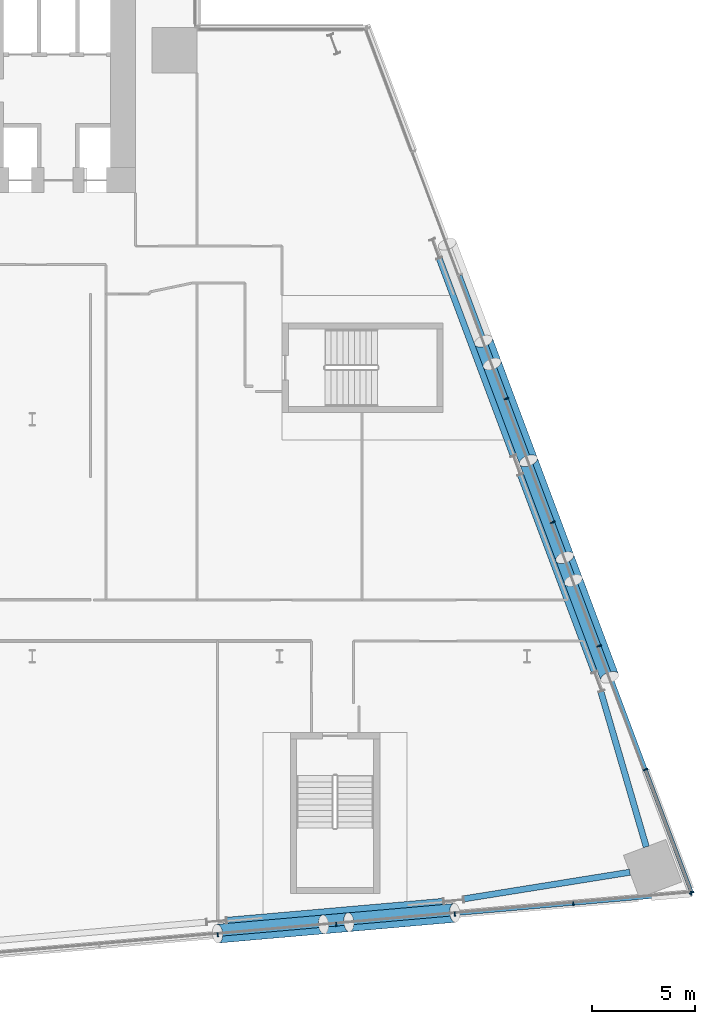
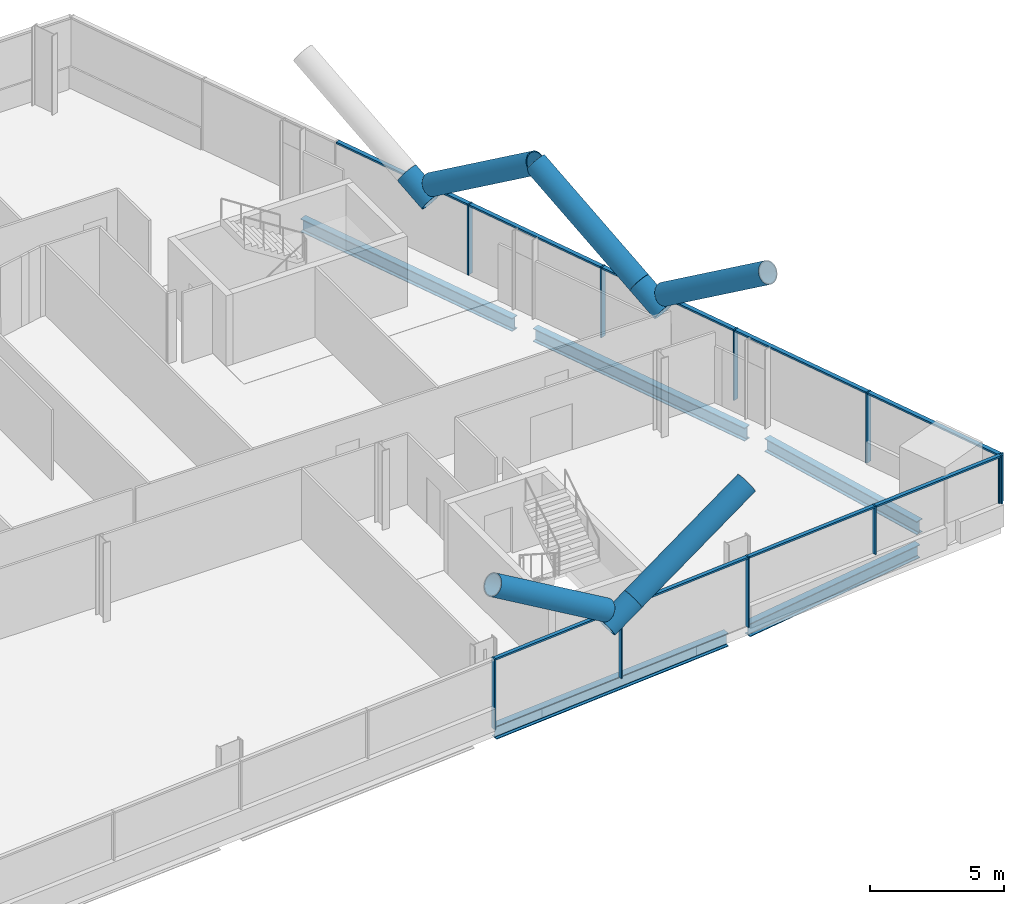
# One storey, part 9 of 27: 27 members, 5 beams, 2 elements without a shape of their own.
"""IFC4 building model written with IfcOpenShell, lengths in metres."""

from ifc_helpers import new_model, si_unit, direction, frame, origin, origin_2d, place, context, subcontext, project, spatial, rectangle, hollow_circle, i_section, extrude, material, material_profile, profile_set, type_object, element, aggregate, save


model = new_model("IFC4")

# Units and contexts
model_context = context("Model", 3, precision=1e-05, world=origin(), true_north=direction((0.0, 1.0)))
body_context = subcontext(model_context, "Body", "Model", "MODEL_VIEW")
ifc_project = project(units=[si_unit("LENGTHUNIT", "METRE"), si_unit("AREAUNIT", "SQUARE_METRE"), si_unit("VOLUMEUNIT", "CUBIC_METRE"), si_unit("PLANEANGLEUNIT", "RADIAN"), si_unit("MASSUNIT", "GRAM", prefix="KILO")], contexts=[model_context])

# Site, building, storey
site_placement = place(None, origin())
site = spatial("IfcSite", under=ifc_project, at=site_placement, CompositionType="ELEMENT")
building_placement = place(site_placement, origin())
building = spatial("IfcBuilding", under=site, at=building_placement, Name="Wharfspan Tower", CompositionType="ELEMENT")
storey_placement = place(building_placement, frame((0.0, 0.0, 48.699951)))
storey = spatial("IfcBuildingStorey", under=building, at=storey_placement, Name="L08", CompositionType="ELEMENT", Elevation=48.699951)

# Members
ifc_material_1 = material(Name="Steel S460NH", Category="steel")
ifc_material_profile_1 = material_profile(ifc_material_1, hollow_circle(Radius=0.457031, WallThickness=0.040039, at=origin_2d()))
ifc_profile_set_1 = profile_set([ifc_material_profile_1], Name="Steel S460NH")
member_type_1 = type_object("IfcMemberType", Name="Brace node tie CHS 914x40", PredefinedType="STRUT", material=ifc_profile_set_1)
member_1_placement = place(storey_placement, frame((74.137451, -1.507568, 2.519531), z_axis=(0.845232, 0.07403, 0.529247), x_axis=(-0.087252, 0.996186, 1e-06)))
element("IfcMember", 1, at=member_1_placement, inside=storey, type_object=member_type_1, Name="Brace node tie L08 S2", PredefinedType="STRUT", context=body_context, shape_type="SweptSolid", body=[
    extrude(hollow_circle(Radius=0.457031, WallThickness=0.040039, at=origin_2d()), origin(), (0.0, 0.0, 1.0), 1.437988),
])
for number, where, z_axis, x_axis, name in (
    (2, (86.248535, 15.180664, 2.522949), (-0.295528, 0.787959, 0.54017), (-0.936316, -0.351168, -3e-06), "Brace node tie L08 E5"),
    (3, (82.311035, 25.680664, 2.522949), (-0.295528, 0.787959, 0.54017), (-0.936316, -0.351168, -3e-06), "Brace node tie L08 E6"),
):
    element("IfcMember", number, at=place(storey_placement, frame(where, z_axis=z_axis, x_axis=x_axis)), inside=storey, type_object=member_type_1, Name=name, PredefinedType="STRUT", context=body_context, shape_type="SweptSolid", body=[
        extrude(hollow_circle(Radius=0.457031, WallThickness=0.040039, at=origin_2d()), origin(), (0.0, 0.0, 1.0), 1.39624),
    ])

# Beams
ifc_material_2 = material(Name="Steel S355J2", Category="steel")
ifc_material_profile_2 = material_profile(ifc_material_2, i_section(OverallWidth=0.300049, OverallDepth=0.600098, WebThickness=0.015381, FlangeThickness=0.030029, FilletRadius=0.0271, at=origin_2d()))
ifc_profile_set_2 = profile_set([ifc_material_profile_2], Name="Steel S355J2")
beam_type = type_object("IfcBeamType", Name="Edge beam HEB 600", PredefinedType="SPANDREL", material=ifc_profile_set_2)
beam_1_placement = place(storey_placement, frame((69.440674, -1.311279, -0.699951), z_axis=(0.996193, 0.087178, 0.0), x_axis=(-0.087178, 0.996193, 0.0)))
element("IfcBeam", 4, at=beam_1_placement, inside=storey, type_object=beam_type, Name="Edge beam S2 L08 PS2.2 to PS2.3", PredefinedType="SPANDREL", context=body_context, shape_type="SweptSolid", body=[
    extrude(i_section(OverallWidth=0.300049, OverallDepth=0.600098, WebThickness=0.015381, FlangeThickness=0.030029, FilletRadius=0.0271, at=origin_2d()), origin(), (0.0, 0.0, 1.0), 10.543701),
])
beam_2_placement = place(storey_placement, frame((80.9375, -0.269287, -0.699951), z_axis=(0.987379, 0.158378, 0.0), x_axis=(-0.158378, 0.987379, 0.0)))
element("IfcBeam", 5, at=beam_2_placement, inside=storey, type_object=beam_type, Name="Edge beam S2 L08 PS2.3 to MC4", PredefinedType="SPANDREL", context=body_context, shape_type="SweptSolid", body=[
    extrude(i_section(OverallWidth=0.300049, OverallDepth=0.600098, WebThickness=0.015381, FlangeThickness=0.030029, FilletRadius=0.0271, at=origin_2d()), origin(), (0.0, 0.0, 1.0), 8.157715),
])
beam_3_placement = place(storey_placement, frame((89.788086, 2.254639, -0.699951), z_axis=(-0.280694, 0.959797, 0.0), x_axis=(-0.959797, -0.280694, 0.0)))
element("IfcBeam", 6, at=beam_3_placement, inside=storey, type_object=beam_type, Name="Edge beam E L08 MC4 to PE.1", PredefinedType="SPANDREL", context=body_context, shape_type="SweptSolid", body=[
    extrude(i_section(OverallWidth=0.300049, OverallDepth=0.600098, WebThickness=0.015381, FlangeThickness=0.030029, FilletRadius=0.0271, at=origin_2d()), origin(), (0.0, 0.0, 1.0), 7.8479),
])
for number, where, z_axis, x_axis, name in (
    (7, (87.269043, 10.736328, -0.699951), (-0.351126, 0.936328, 0.0), (-0.936328, -0.351126, 0.0), "Edge beam E L08 PE.1 to PE.2"),
    (8, (83.331543, 21.236328, -0.699951), (-0.351126, 0.936328, 0.0), (-0.936328, -0.351126, 0.0), "Edge beam E L08 PE.2 to PE.3"),
):
    element("IfcBeam", number, at=place(storey_placement, frame(where, z_axis=z_axis, x_axis=x_axis)), inside=storey, type_object=beam_type, Name=name, PredefinedType="SPANDREL", context=body_context, shape_type="SweptSolid", body=[
        extrude(i_section(OverallWidth=0.300049, OverallDepth=0.600098, WebThickness=0.015381, FlangeThickness=0.030029, FilletRadius=0.0271, at=origin_2d()), origin(), (0.0, 0.0, 1.0), 10.214111),
    ])

# Curtain wall, members
ifc_material_3 = material(Name="Aluminium 6063-T6", Category="aluminium")
curtain_wall_type_1 = type_object("IfcCurtainWallType", Name="CURTAIN WALL FACETED FRONT", PredefinedType="NOTDEFINED", material=ifc_material_3)
curtain_wall_1_placement = place(storey_placement, origin())
curtain_wall_1 = element("IfcCurtainWall", 9, at=curtain_wall_1_placement, inside=storey, type_object=curtain_wall_type_1, Name="Curtain wall S2", PredefinedType="NOTDEFINED")
ifc_material_profile_3 = material_profile(ifc_material_3, rectangle(XDim=0.199951, YDim=0.060059, at=origin_2d()))
ifc_profile_set_3 = profile_set([ifc_material_profile_3], Name="Aluminium 6063-T6")
member_type_2 = type_object("IfcMemberType", Name="MULLION FACETED FRONT 60x200", PredefinedType="MULLION", material=ifc_profile_set_3)
member_2_placement = place(storey_placement, frame((69.0, -2.012207, 0.0), z_axis=(0.0, 0.0, 1.0), x_axis=(-0.087156, 0.996197, 0.0)))
member_2 = element("IfcMember", 10, at=member_2_placement, type_object=member_type_2, Name="Curtain wall S2 mullion 5", PredefinedType="MULLION", context=body_context, shape_type="SweptSolid", body=[
    extrude(rectangle(XDim=0.199951, YDim=0.060059, at=origin_2d()), origin(), (0.0, 0.0, 1.0), 3.199951),
])
member_3_placement = place(storey_placement, frame((74.75, -1.509277, 0.0), z_axis=(0.0, 0.0, 1.0), x_axis=(-0.087156, 0.996197, 0.0)))
member_3 = element("IfcMember", 11, at=member_3_placement, type_object=member_type_2, Name="Curtain wall S2 mullion 6", PredefinedType="MULLION", context=body_context, shape_type="SweptSolid", body=[
    extrude(rectangle(XDim=0.199951, YDim=0.060059, at=origin_2d()), origin(), (0.0, 0.0, 1.0), 3.199951),
])
member_4_placement = place(storey_placement, frame((80.5, -1.006104, 0.0), z_axis=(0.0, 0.0, 1.0), x_axis=(-0.087156, 0.996197, 0.0)))
member_4 = element("IfcMember", 12, at=member_4_placement, type_object=member_type_2, Name="Curtain wall S2 mullion 7", PredefinedType="MULLION", context=body_context, shape_type="SweptSolid", body=[
    extrude(rectangle(XDim=0.199951, YDim=0.060059, at=origin_2d()), origin(), (0.0, 0.0, 1.0), 3.199951),
])
member_5_placement = place(storey_placement, frame((86.25, -0.503174, 1.0), z_axis=(0.0, 0.0, 1.0), x_axis=(-0.087156, 0.996197, 0.0)))
member_5 = element("IfcMember", 13, at=member_5_placement, type_object=member_type_2, Name="Curtain wall S2 mullion 8", PredefinedType="MULLION", context=body_context, shape_type="SweptSolid", body=[
    extrude(rectangle(XDim=0.199951, YDim=0.060059, at=origin_2d()), origin(), (0.0, 0.0, 1.0), 2.199951),
])
member_6_placement = place(storey_placement, frame((91.970215, -0.002686, 1.0), z_axis=(0.0, 0.0, 1.0), x_axis=(-0.087156, 0.996197, 0.0)))
member_6 = element("IfcMember", 14, at=member_6_placement, type_object=member_type_2, Name="Curtain wall S2 mullion 9", PredefinedType="MULLION", context=body_context, shape_type="SweptSolid", body=[
    extrude(rectangle(XDim=0.199951, YDim=0.060059, at=origin_2d()), origin(), (0.0, 0.0, 1.0), 2.199951),
])

curtain_wall_type_2 = type_object("IfcCurtainWallType", Name="CURTAIN WALL PROW AND END", PredefinedType="NOTDEFINED", material=ifc_material_3)
curtain_wall_2_placement = place(storey_placement, origin())
curtain_wall_2 = element("IfcCurtainWall", 15, at=curtain_wall_2_placement, inside=storey, type_object=curtain_wall_type_2, Name="Curtain wall E", PredefinedType="NOTDEFINED")
ifc_material_profile_4 = material_profile(ifc_material_3, rectangle(XDim=0.23999, YDim=0.060059, at=origin_2d()))
ifc_profile_set_4 = profile_set([ifc_material_profile_4], Name="Aluminium 6063-T6")
member_type_3 = type_object("IfcMemberType", Name="MULLION PROW AND END 60x240", PredefinedType="MULLION", material=ifc_profile_set_4)
member_7_placement = place(storey_placement, frame((91.989502, 0.028076, 1.0), z_axis=(0.0, 0.0, 1.0), x_axis=(-0.936328, -0.351123, 0.0)))
member_7 = element("IfcMember", 16, at=member_7_placement, type_object=member_type_3, Name="Curtain wall E mullion 1", PredefinedType="MULLION", context=body_context, shape_type="SweptSolid", body=[
    extrude(rectangle(XDim=0.23999, YDim=0.060059, at=origin_2d()), origin(), (0.0, 0.0, 1.0), 2.199951),
])
member_8_placement = place(storey_placement, frame((89.75, 6.0, 0.0), z_axis=(0.0, 0.0, 1.0), x_axis=(-0.936328, -0.351123, 0.0)))
member_8 = element("IfcMember", 17, at=member_8_placement, type_object=member_type_3, Name="Curtain wall E mullion 2", PredefinedType="MULLION", context=body_context, shape_type="SweptSolid", body=[
    extrude(rectangle(XDim=0.23999, YDim=0.060059, at=origin_2d()), origin(), (0.0, 0.0, 1.0), 3.199951),
])
member_9_placement = place(storey_placement, frame((87.5, 12.0, 0.0), z_axis=(0.0, 0.0, 1.0), x_axis=(-0.936328, -0.351123, 0.0)))
member_9 = element("IfcMember", 18, at=member_9_placement, type_object=member_type_3, Name="Curtain wall E mullion 3", PredefinedType="MULLION", context=body_context, shape_type="SweptSolid", body=[
    extrude(rectangle(XDim=0.23999, YDim=0.060059, at=origin_2d()), origin(), (0.0, 0.0, 1.0), 3.199951),
])
member_10_placement = place(storey_placement, frame((85.25, 18.0, 0.0), z_axis=(0.0, 0.0, 1.0), x_axis=(-0.936328, -0.351123, 0.0)))
member_10 = element("IfcMember", 19, at=member_10_placement, type_object=member_type_3, Name="Curtain wall E mullion 4", PredefinedType="MULLION", context=body_context, shape_type="SweptSolid", body=[
    extrude(rectangle(XDim=0.23999, YDim=0.060059, at=origin_2d()), origin(), (0.0, 0.0, 1.0), 3.199951),
])
member_11_placement = place(storey_placement, frame((83.0, 24.0, 0.0), z_axis=(0.0, 0.0, 1.0), x_axis=(-0.936328, -0.351123, 0.0)))
member_11 = element("IfcMember", 20, at=member_11_placement, type_object=member_type_3, Name="Curtain wall E mullion 5", PredefinedType="MULLION", context=body_context, shape_type="SweptSolid", body=[
    extrude(rectangle(XDim=0.23999, YDim=0.060059, at=origin_2d()), origin(), (0.0, 0.0, 1.0), 3.199951),
])

# Members
ifc_material_profile_5 = material_profile(ifc_material_1, hollow_circle(Radius=0.457031, WallThickness=0.040039, at=origin_2d()))
ifc_profile_set_5 = profile_set([ifc_material_profile_5], Name="Steel S460NH")
member_type_4 = type_object("IfcMemberType", Name="Mega brace CHS 914x40", PredefinedType="BRACE", material=ifc_profile_set_5)
member_12_placement = place(storey_placement, frame((75.361328, -1.400391, 3.285889), z_axis=(0.845271, 0.073923, 0.529199), x_axis=(-0.087123, 0.996199, 1e-06)))
element("IfcMember", 21, at=member_12_placement, inside=storey, type_object=member_type_4, Name="Mega brace S2 L08 part 2", PredefinedType="BRACE", context=body_context, shape_type="SweptSolid", body=[
    extrude(hollow_circle(Radius=0.457031, WallThickness=0.040039, at=origin_2d()), origin(), (0.0, 0.0, 1.0), 6.073486),
])
member_13_placement = place(storey_placement, frame((74.12915, -1.508301, 3.285889), z_axis=(-0.84528, -0.073961, 0.52918), x_axis=(0.087165, -0.996192, -1e-06)))
element("IfcMember", 22, at=member_13_placement, inside=storey, type_object=member_type_4, Name="Mega brace S2 L08 part 4", PredefinedType="BRACE", context=body_context, shape_type="SweptSolid", body=[
    extrude(hollow_circle(Radius=0.457031, WallThickness=0.040039, at=origin_2d()), origin(), (0.0, 0.0, 1.0), 6.07373),
])
for number, where, z_axis, x_axis, name in (
    (23, (85.833008, 16.288574, 3.282715), (-0.295466, 0.787922, 0.540259), (-0.936329, -0.351115, -4e-06), "Mega brace E5 L08 part 2"),
    (24, (86.251465, 15.172852, 3.282715), (0.295466, -0.787922, 0.540259), (0.936329, 0.351115, -4e-06), "Mega brace E5 L08 part 4"),
    (25, (82.313965, 25.672852, 3.282715), (0.295466, -0.787922, 0.540259), (0.936329, 0.351115, -4e-06), "Mega brace E6 L08 part 4"),
):
    element("IfcMember", number, at=place(storey_placement, frame(where, z_axis=z_axis, x_axis=x_axis)), inside=storey, type_object=member_type_4, Name=name, PredefinedType="BRACE", context=body_context, shape_type="SweptSolid", body=[
        extrude(hollow_circle(Radius=0.457031, WallThickness=0.040039, at=origin_2d()), origin(), (0.0, 0.0, 1.0), 5.955078),
    ])

# Member
ifc_material_profile_6 = material_profile(ifc_material_3, rectangle(XDim=0.159912, YDim=0.080078, at=origin_2d()))
ifc_profile_set_6 = profile_set([ifc_material_profile_6], Name="Aluminium 6063-T6")
member_type_5 = type_object("IfcMemberType", Name="TRANSOM FACETED FRONT 80x160", PredefinedType="USERDEFINED", material=ifc_profile_set_6)
member_14_placement = place(storey_placement, frame((69.029785, -2.009521, 3.160156), z_axis=(0.996195, 0.087148, 0.0), x_axis=(-0.087148, 0.996195, 0.0)))
member_14 = element("IfcMember", 26, at=member_14_placement, type_object=member_type_5, Name="Curtain wall S2 transom 5", ObjectType="TRANSOM", PredefinedType="USERDEFINED", context=body_context, shape_type="SweptSolid", body=[
    extrude(rectangle(XDim=0.159912, YDim=0.080078, at=origin_2d()), origin(), (0.0, 0.0, 1.0), 5.712158),
])

member_15_placement = place(storey_placement, frame((74.779785, -1.506592, 3.160156), z_axis=(0.996195, 0.087148, 0.0), x_axis=(-0.087148, 0.996195, 0.0)))
member_15 = element("IfcMember", 27, at=member_15_placement, type_object=member_type_5, Name="Curtain wall S2 transom 6", ObjectType="TRANSOM", PredefinedType="USERDEFINED", context=body_context, shape_type="SweptSolid", body=[
    extrude(rectangle(XDim=0.159912, YDim=0.080078, at=origin_2d()), origin(), (0.0, 0.0, 1.0), 5.712158),
])

member_16_placement = place(storey_placement, frame((80.529785, -1.003418, 3.160156), z_axis=(0.996195, 0.087148, 0.0), x_axis=(-0.087148, 0.996195, 0.0)))
member_16 = element("IfcMember", 28, at=member_16_placement, type_object=member_type_5, Name="Curtain wall S2 transom 7", ObjectType="TRANSOM", PredefinedType="USERDEFINED", context=body_context, shape_type="SweptSolid", body=[
    extrude(rectangle(XDim=0.159912, YDim=0.080078, at=origin_2d()), origin(), (0.0, 0.0, 1.0), 5.712158),
])

member_17_placement = place(storey_placement, frame((86.279785, -0.500488, 3.160156), z_axis=(0.996193, 0.08718, 0.0), x_axis=(-0.08718, 0.996193, 0.0)))
member_17 = element("IfcMember", 29, at=member_17_placement, type_object=member_type_5, Name="Curtain wall S2 transom 8", ObjectType="TRANSOM", PredefinedType="USERDEFINED", context=body_context, shape_type="SweptSolid", body=[
    extrude(rectangle(XDim=0.159912, YDim=0.080078, at=origin_2d()), origin(), (0.0, 0.0, 1.0), 5.682129),
])

aggregate(curtain_wall_1, [member_2, member_3, member_4, member_5, member_6, member_14, member_15, member_16, member_17])

ifc_material_profile_7 = material_profile(ifc_material_3, rectangle(XDim=0.179932, YDim=0.080078, at=origin_2d()))
ifc_profile_set_7 = profile_set([ifc_material_profile_7], Name="Aluminium 6063-T6")
member_type_6 = type_object("IfcMemberType", Name="TRANSOM PROW AND END 80x180", PredefinedType="USERDEFINED", material=ifc_profile_set_7)
member_18_placement = place(storey_placement, frame((91.979004, 0.056152, 3.160156), z_axis=(-0.351136, 0.936324, 0.0), x_axis=(-0.936324, -0.351136, 0.0)))
member_18 = element("IfcMember", 30, at=member_18_placement, type_object=member_type_6, Name="Curtain wall E transom 1", ObjectType="TRANSOM", PredefinedType="USERDEFINED", context=body_context, shape_type="SweptSolid", body=[
    extrude(rectangle(XDim=0.179932, YDim=0.080078, at=origin_2d()), origin(), (0.0, 0.0, 1.0), 6.318115),
])

member_19_placement = place(storey_placement, frame((89.739502, 6.028076, 3.160156), z_axis=(-0.351132, 0.936326, 0.0), x_axis=(-0.936326, -0.351132, 0.0)))
member_19 = element("IfcMember", 31, at=member_19_placement, type_object=member_type_6, Name="Curtain wall E transom 2", ObjectType="TRANSOM", PredefinedType="USERDEFINED", context=body_context, shape_type="SweptSolid", body=[
    extrude(rectangle(XDim=0.179932, YDim=0.080078, at=origin_2d()), origin(), (0.0, 0.0, 1.0), 6.348145),
])

member_20_placement = place(storey_placement, frame((87.489502, 12.028076, 3.160156), z_axis=(-0.351132, 0.936326, 0.0), x_axis=(-0.936326, -0.351132, 0.0)))
member_20 = element("IfcMember", 32, at=member_20_placement, type_object=member_type_6, Name="Curtain wall E transom 3", ObjectType="TRANSOM", PredefinedType="USERDEFINED", context=body_context, shape_type="SweptSolid", body=[
    extrude(rectangle(XDim=0.179932, YDim=0.080078, at=origin_2d()), origin(), (0.0, 0.0, 1.0), 6.348145),
])

member_21_placement = place(storey_placement, frame((85.239502, 18.028076, 3.160156), z_axis=(-0.351132, 0.936326, 0.0), x_axis=(-0.936326, -0.351132, 0.0)))
member_21 = element("IfcMember", 33, at=member_21_placement, type_object=member_type_6, Name="Curtain wall E transom 4", ObjectType="TRANSOM", PredefinedType="USERDEFINED", context=body_context, shape_type="SweptSolid", body=[
    extrude(rectangle(XDim=0.179932, YDim=0.080078, at=origin_2d()), origin(), (0.0, 0.0, 1.0), 6.348145),
])

member_22_placement = place(storey_placement, frame((82.989502, 24.028076, 3.160156), z_axis=(-0.351132, 0.936326, 0.0), x_axis=(-0.936326, -0.351132, 0.0)))
member_22 = element("IfcMember", 34, at=member_22_placement, type_object=member_type_6, Name="Curtain wall E transom 5", ObjectType="TRANSOM", PredefinedType="USERDEFINED", context=body_context, shape_type="SweptSolid", body=[
    extrude(rectangle(XDim=0.179932, YDim=0.080078, at=origin_2d()), origin(), (0.0, 0.0, 1.0), 6.348145),
])

aggregate(curtain_wall_2, [member_7, member_8, member_9, member_10, member_11, member_18, member_19, member_20, member_21, member_22])

save(model, "model.ifc")
